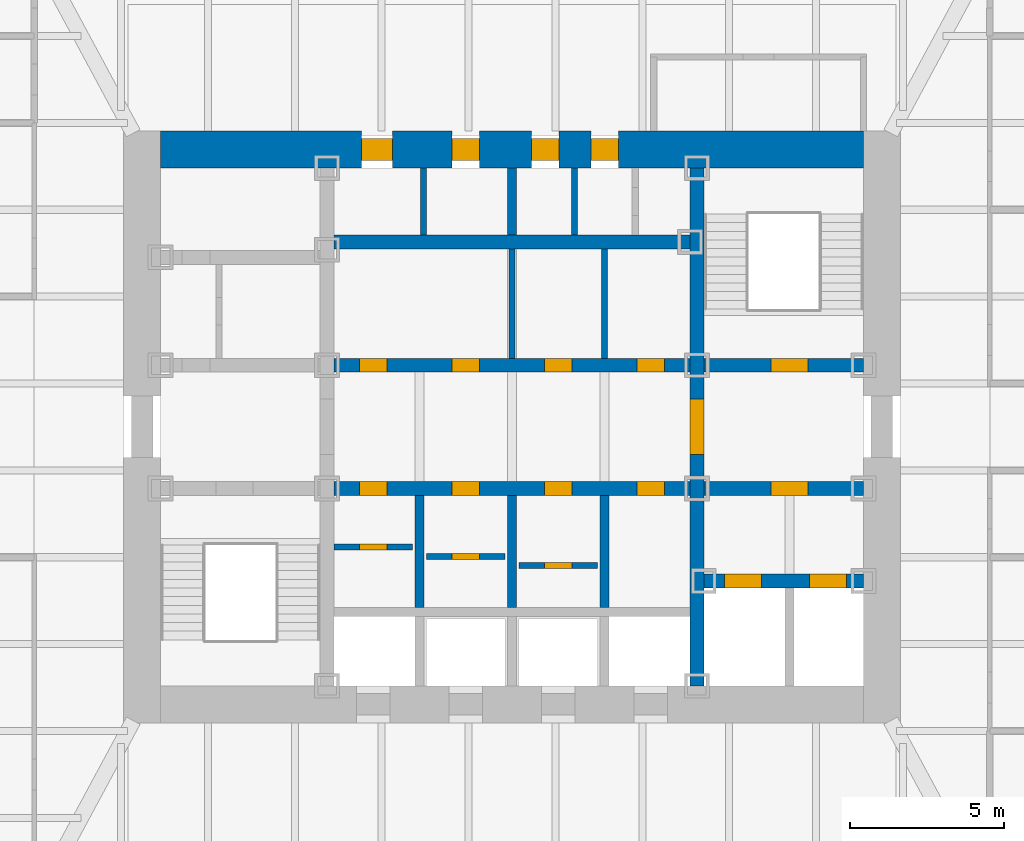
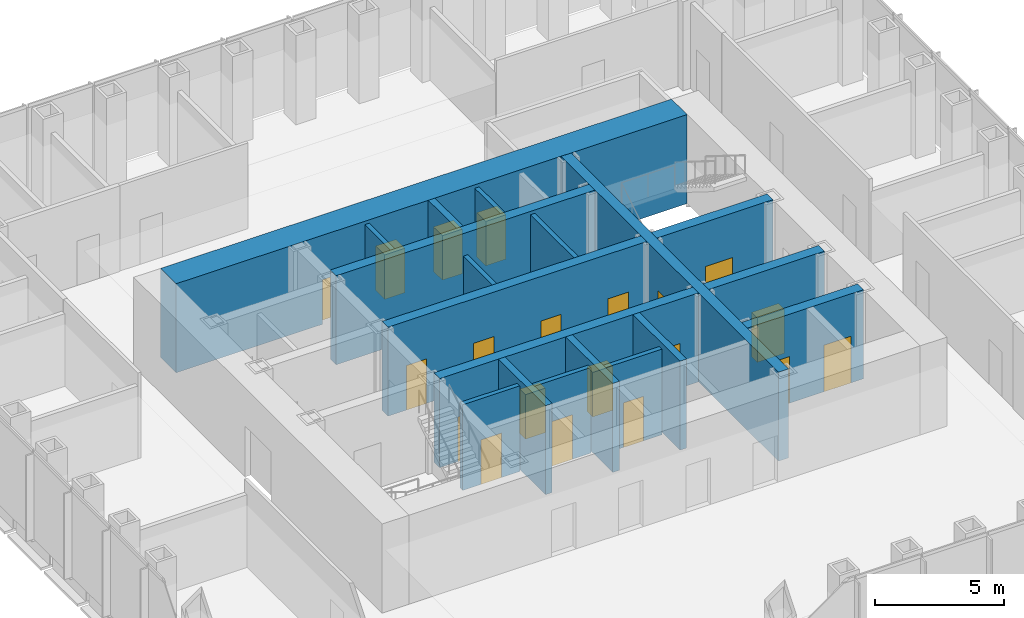
# One storey, part 9 of 16: 20 doors, 19 walls, 20 openings.
"""IFC4 building model written with IfcOpenShell, lengths in metres."""

from ifc_helpers import new_model, si_unit, direction, frame, frame_2d, origin, place, context, subcontext, project, spatial, rectangle, extrude, material, layer, layer_set, type_object, element, fill, save


model = new_model("IFC4")

# Units and contexts
model_context = context("Model", 3, precision=1e-05, world=origin(), true_north=direction((0.0, 1.0)))
body_context = subcontext(model_context, "Body", "Model", "MODEL_VIEW")
ifc_project = project(units=[si_unit("LENGTHUNIT", "METRE"), si_unit("AREAUNIT", "SQUARE_METRE"), si_unit("VOLUMEUNIT", "CUBIC_METRE"), si_unit("PLANEANGLEUNIT", "RADIAN"), si_unit("MASSUNIT", "GRAM", prefix="KILO")], contexts=[model_context])

# Site, building, storey
site_placement = place(None, origin())
site = spatial("IfcSite", under=ifc_project, at=site_placement, CompositionType="ELEMENT")
building_placement = place(site_placement, origin())
building = spatial("IfcBuilding", under=site, at=building_placement, Name="Daluyong Arena Tower", CompositionType="ELEMENT")
storey_placement = place(building_placement, frame((0.0, 0.0, 210.699951171875)))
storey = spatial("IfcBuildingStorey", under=building, at=storey_placement, Name="L47", CompositionType="ELEMENT", Elevation=210.699951171875)

# Wall, opening, door
ifc_material_1 = material(Name="Concrete fc' 45 MPa", Category="concrete")
ifc_layer_1 = layer(ifc_material_1, 0.449951171875)
ifc_layer_set_1 = layer_set([ifc_layer_1], Name="Concrete fc' 45 MPa")
wall_type_1 = type_object("IfcWallType", Name="Core inner wall 450", PredefinedType="SHEAR", material=ifc_layer_set_1)
wall_1_placement = place(storey_placement, frame((62.0, 71.60009765625, 0.0), z_axis=(0.0, 0.0, 1.0), x_axis=(0.0, 1.0, 0.0)))
wall_1 = element("IfcWall", 1, at=wall_1_placement, inside=storey, type_object=wall_type_1, Name="core inner wall at L47", PredefinedType="SHEAR", context=body_context, shape_type="SweptSolid", body=[
    extrude(rectangle(XDim=16.7998046875, YDim=0.449951171875, at=frame_2d((8.39990234375, 0.0))), origin(), (0.0, 0.0, 1.0), 4.199951171875),
])
opening_1_placement = place(wall_1_placement, frame((7.5, 0.0, 0.0)))
opening_1 = element("IfcOpeningElement", 2, at=opening_1_placement, cuts=wall_1, Name="Opening 47025", PredefinedType="OPENING", context=body_context, shape_type="SweptSolid", body=[
    extrude(rectangle(XDim=1.800048828125, YDim=2.39990234375, at=frame_2d((0.89990234375, 1.199951171875))), frame((0.0, 0.23486328125, 0.0), z_axis=(0.0, -1.0, 0.0), x_axis=(1.0, 0.0, 0.0)), (0.0, 0.0, 1.0), 0.469970703125),
])
ifc_material_2 = material(Name="Steel door, fire rated", Category="steel")
door_type_1 = type_object("IfcDoorType", Name="Lift lobby opening door 1800", OperationType="DOUBLE_DOOR_SINGLE_SWING", PredefinedType="DOOR", material=ifc_material_2)
door_1_placement = place(opening_1_placement, origin())
door_1 = element("IfcDoor", 3, at=door_1_placement, inside=storey, type_object=door_type_1, Name="lift lobby door east 47025", OperationType="DOUBLE_DOOR_SINGLE_SWING", OverallHeight=2.39990234375, OverallWidth=1.800048828125, PredefinedType="DOOR", context=body_context, shape_type="SweptSolid", body=[
    extrude(rectangle(XDim=1.800048828125, YDim=2.39990234375, at=frame_2d((0.89990234375, 1.199951171875))), frame((0.0, 0.224609375, 0.0), z_axis=(0.0, -1.0, 0.0), x_axis=(1.0, 0.0, 0.0)), (0.0, 0.0, 1.0), 0.449462890625),
])
fill(opening_1, door_1)

# Wall, openings, doors
wall_2_placement = place(storey_placement, frame((62.22509765625, 75.0, 0.0), z_axis=(0.0, 0.0, 1.0), x_axis=(1.0, 0.0, 0.0)))
wall_2 = element("IfcWall", 4, at=wall_2_placement, inside=storey, type_object=wall_type_1, Name="core inner wall at L47", PredefinedType="SHEAR", context=body_context, shape_type="SweptSolid", body=[
    extrude(rectangle(XDim=5.1748046875, YDim=0.449951171875, at=frame_2d((2.58740234375, 0.0))), origin(), (0.0, 0.0, 1.0), 4.199951171875),
])
opening_2_placement = place(wall_2_placement, frame((0.675048828125, 0.0, 0.0)))
opening_2 = element("IfcOpeningElement", 5, at=opening_2_placement, cuts=wall_2, Name="Opening 47031", PredefinedType="OPENING", context=body_context, shape_type="SweptSolid", body=[
    extrude(rectangle(XDim=1.199951171875, YDim=2.199951171875, at=frame_2d((0.60009765625, 1.10009765625))), frame((0.0, 0.23486328125, 0.0), z_axis=(0.0, -1.0, 0.0), x_axis=(1.0, 0.0, 0.0)), (0.0, 0.0, 1.0), 0.469970703125),
])
opening_3_placement = place(wall_2_placement, frame((3.425048828125, 0.0, 0.0)))
opening_3 = element("IfcOpeningElement", 6, at=opening_3_placement, cuts=wall_2, Name="Opening 47032", PredefinedType="OPENING", context=body_context, shape_type="SweptSolid", body=[
    extrude(rectangle(XDim=1.199951171875, YDim=2.199951171875, at=frame_2d((0.60009765625, 1.10009765625))), frame((0.0, 0.23486328125, 0.0), z_axis=(0.0, -1.0, 0.0), x_axis=(1.0, 0.0, 0.0)), (0.0, 0.0, 1.0), 0.469970703125),
])
ifc_material_3 = material(Name="Steel door, fire rated", Category="steel")
door_type_2 = type_object("IfcDoorType", Name="Firefighting lift landing door 1200", OperationType="SLIDING_TO_LEFT", PredefinedType="DOOR", material=ifc_material_3)
door_2_placement = place(opening_2_placement, origin())
door_2 = element("IfcDoor", 7, at=door_2_placement, inside=storey, type_object=door_type_2, Name="firefighting lift landing door F1 47031", OperationType="SLIDING_TO_LEFT", OverallHeight=2.199951171875, OverallWidth=1.199951171875, PredefinedType="DOOR", context=body_context, shape_type="SweptSolid", body=[
    extrude(rectangle(XDim=1.199951171875, YDim=2.199951171875, at=frame_2d((0.60009765625, 1.10009765625))), frame((0.0, 0.224609375, 0.0), z_axis=(0.0, -1.0, 0.0), x_axis=(1.0, 0.0, 0.0)), (0.0, 0.0, 1.0), 0.449462890625),
])
fill(opening_2, door_2)
door_3_placement = place(opening_3_placement, origin())
door_3 = element("IfcDoor", 8, at=door_3_placement, inside=storey, type_object=door_type_2, Name="firefighting lift landing door F2 47032", OperationType="SLIDING_TO_LEFT", OverallHeight=2.199951171875, OverallWidth=1.199951171875, PredefinedType="DOOR", context=body_context, shape_type="SweptSolid", body=[
    extrude(rectangle(XDim=1.199951171875, YDim=2.199951171875, at=frame_2d((0.60009765625, 1.10009765625))), frame((0.0, 0.224609375, 0.0), z_axis=(0.0, -1.0, 0.0), x_axis=(1.0, 0.0, 0.0)), (0.0, 0.0, 1.0), 0.449462890625),
])
fill(opening_3, door_3)

# Wall, opening, door
wall_3_placement = place(storey_placement, frame((62.22509765625, 78.0, 0.0), z_axis=(0.0, 0.0, 1.0), x_axis=(1.0, 0.0, 0.0)))
wall_3 = element("IfcWall", 9, at=wall_3_placement, inside=storey, type_object=wall_type_1, Name="core inner wall at L47", PredefinedType="SHEAR", context=body_context, shape_type="SweptSolid", body=[
    extrude(rectangle(XDim=5.1748046875, YDim=0.449951171875, at=frame_2d((2.58740234375, 0.0))), origin(), (0.0, 0.0, 1.0), 4.199951171875),
])
opening_4_placement = place(wall_3_placement, frame((2.175048828125, 0.0, 0.0)))
opening_4 = element("IfcOpeningElement", 10, at=opening_4_placement, cuts=wall_3, Name="Opening 47026", PredefinedType="OPENING", context=body_context, shape_type="SweptSolid", body=[
    extrude(rectangle(XDim=1.199951171875, YDim=2.10009765625, at=frame_2d((0.60009765625, 1.050048828125))), frame((0.0, 0.23486328125, 0.0), z_axis=(0.0, -1.0, 0.0), x_axis=(1.0, 0.0, 0.0)), (0.0, 0.0, 1.0), 0.469970703125),
])
ifc_material_4 = material(Name="Steel door, fire rated", Category="steel")
door_type_3 = type_object("IfcDoorType", Name="Firefighting lobby door 1200", OperationType="SINGLE_SWING_RIGHT", PredefinedType="DOOR", material=ifc_material_4)
door_4_placement = place(opening_4_placement, origin())
door_4 = element("IfcDoor", 11, at=door_4_placement, inside=storey, type_object=door_type_3, Name="firefighting lobby door 47026", OperationType="SINGLE_SWING_RIGHT", OverallHeight=2.10009765625, OverallWidth=1.199951171875, PredefinedType="DOOR", context=body_context, shape_type="SweptSolid", body=[
    extrude(rectangle(XDim=1.199951171875, YDim=2.10009765625, at=frame_2d((0.60009765625, 1.050048828125))), frame((0.0, 0.224609375, 0.0), z_axis=(0.0, -1.0, 0.0), x_axis=(1.0, 0.0, 0.0)), (0.0, 0.0, 1.0), 0.449462890625),
])
fill(opening_4, door_4)

wall_4_placement = place(storey_placement, frame((62.22509765625, 82.0, 0.0), z_axis=(0.0, 0.0, 1.0), x_axis=(1.0, 0.0, 0.0)))
wall_4 = element("IfcWall", 12, at=wall_4_placement, inside=storey, type_object=wall_type_1, Name="core inner wall at L47", PredefinedType="SHEAR", context=body_context, shape_type="SweptSolid", body=[
    extrude(rectangle(XDim=5.1748046875, YDim=0.449951171875, at=frame_2d((2.58740234375, 0.0))), origin(), (0.0, 0.0, 1.0), 4.199951171875),
])
opening_5_placement = place(wall_4_placement, frame((2.175048828125, 0.0, 0.0)))
opening_5 = element("IfcOpeningElement", 13, at=opening_5_placement, cuts=wall_4, Name="Opening 47021", PredefinedType="OPENING", context=body_context, shape_type="SweptSolid", body=[
    extrude(rectangle(XDim=1.199951171875, YDim=2.10009765625, at=frame_2d((0.60009765625, 1.050048828125))), frame((0.0, 0.23486328125, 0.0), z_axis=(0.0, -1.0, 0.0), x_axis=(1.0, 0.0, 0.0)), (0.0, 0.0, 1.0), 0.469970703125),
])
ifc_material_5 = material(Name="Steel door, fire rated", Category="steel")
door_type_4 = type_object("IfcDoorType", Name="Stair door 1200", OperationType="SINGLE_SWING_LEFT", PredefinedType="DOOR", material=ifc_material_5)
door_5_placement = place(opening_5_placement, origin())
door_5 = element("IfcDoor", 14, at=door_5_placement, inside=storey, type_object=door_type_4, Name="stair B door 47021", OperationType="SINGLE_SWING_LEFT", OverallHeight=2.10009765625, OverallWidth=1.199951171875, PredefinedType="DOOR", context=body_context, shape_type="SweptSolid", body=[
    extrude(rectangle(XDim=1.199951171875, YDim=2.10009765625, at=frame_2d((0.60009765625, 1.050048828125))), frame((0.0, 0.224609375, 0.0), z_axis=(0.0, -1.0, 0.0), x_axis=(1.0, 0.0, 0.0)), (0.0, 0.0, 1.0), 0.449462890625),
])
fill(opening_5, door_5)

# Wall, openings, doors
wall_5_placement = place(storey_placement, frame((50.22509765625, 78.0, 0.0), z_axis=(0.0, 0.0, 1.0), x_axis=(1.0, 0.0, 0.0)))
wall_5 = element("IfcWall", 15, at=wall_5_placement, inside=storey, type_object=wall_type_1, Name="core inner wall at L47", PredefinedType="SHEAR", context=body_context, shape_type="SweptSolid", body=[
    extrude(rectangle(XDim=11.5498046875, YDim=0.449951171875, at=frame_2d((5.77490234375, 0.0))), origin(), (0.0, 0.0, 1.0), 4.199951171875),
])
opening_6_placement = place(wall_5_placement, frame((0.824951171875, 0.0, 0.0)))
opening_6 = element("IfcOpeningElement", 16, at=opening_6_placement, cuts=wall_5, Name="Opening 47009", PredefinedType="OPENING", context=body_context, shape_type="SweptSolid", body=[
    extrude(rectangle(XDim=0.89990234375, YDim=2.10009765625, at=frame_2d((0.449951171875, 1.050048828125))), frame((0.0, 0.23486328125, 0.0), z_axis=(0.0, -1.0, 0.0), x_axis=(1.0, 0.0, 0.0)), (0.0, 0.0, 1.0), 0.469970703125),
])
opening_7_placement = place(wall_5_placement, frame((3.824951171875, 0.0, 0.0)))
opening_7 = element("IfcOpeningElement", 17, at=opening_7_placement, cuts=wall_5, Name="Opening 47011", PredefinedType="OPENING", context=body_context, shape_type="SweptSolid", body=[
    extrude(rectangle(XDim=0.89990234375, YDim=2.10009765625, at=frame_2d((0.449951171875, 1.050048828125))), frame((0.0, 0.23486328125, 0.0), z_axis=(0.0, -1.0, 0.0), x_axis=(1.0, 0.0, 0.0)), (0.0, 0.0, 1.0), 0.469970703125),
])
opening_8_placement = place(wall_5_placement, frame((6.824951171875, 0.0, 0.0)))
opening_8 = element("IfcOpeningElement", 18, at=opening_8_placement, cuts=wall_5, Name="Opening 47013", PredefinedType="OPENING", context=body_context, shape_type="SweptSolid", body=[
    extrude(rectangle(XDim=0.89990234375, YDim=2.10009765625, at=frame_2d((0.449951171875, 1.050048828125))), frame((0.0, 0.23486328125, 0.0), z_axis=(0.0, -1.0, 0.0), x_axis=(1.0, 0.0, 0.0)), (0.0, 0.0, 1.0), 0.469970703125),
])
opening_9_placement = place(wall_5_placement, frame((9.824951171875, 0.0, 0.0)))
opening_9 = element("IfcOpeningElement", 19, at=opening_9_placement, cuts=wall_5, Name="Opening 47015", PredefinedType="OPENING", context=body_context, shape_type="SweptSolid", body=[
    extrude(rectangle(XDim=0.89990234375, YDim=2.10009765625, at=frame_2d((0.449951171875, 1.050048828125))), frame((0.0, 0.23486328125, 0.0), z_axis=(0.0, -1.0, 0.0), x_axis=(1.0, 0.0, 0.0)), (0.0, 0.0, 1.0), 0.469970703125),
])
ifc_material_6 = material(Name="Steel door, fire rated", Category="steel")
door_type_5 = type_object("IfcDoorType", Name="Core store door 900", OperationType="SINGLE_SWING_LEFT", PredefinedType="DOOR", material=ifc_material_6)
door_6_placement = place(opening_6_placement, origin())
door_6 = element("IfcDoor", 20, at=door_6_placement, inside=storey, type_object=door_type_5, Name="furniture store door 47009", OperationType="SINGLE_SWING_LEFT", OverallHeight=2.10009765625, OverallWidth=0.89990234375, PredefinedType="DOOR", context=body_context, shape_type="SweptSolid", body=[
    extrude(rectangle(XDim=0.89990234375, YDim=2.10009765625, at=frame_2d((0.449951171875, 1.050048828125))), frame((0.0, 0.224609375, 0.0), z_axis=(0.0, -1.0, 0.0), x_axis=(1.0, 0.0, 0.0)), (0.0, 0.0, 1.0), 0.449462890625),
])
fill(opening_6, door_6)
door_7_placement = place(opening_7_placement, origin())
door_7 = element("IfcDoor", 21, at=door_7_placement, inside=storey, type_object=door_type_5, Name="cleaner's store door 47011", OperationType="SINGLE_SWING_LEFT", OverallHeight=2.10009765625, OverallWidth=0.89990234375, PredefinedType="DOOR", context=body_context, shape_type="SweptSolid", body=[
    extrude(rectangle(XDim=0.89990234375, YDim=2.10009765625, at=frame_2d((0.449951171875, 1.050048828125))), frame((0.0, 0.224609375, 0.0), z_axis=(0.0, -1.0, 0.0), x_axis=(1.0, 0.0, 0.0)), (0.0, 0.0, 1.0), 0.449462890625),
])
fill(opening_7, door_7)
door_8_placement = place(opening_8_placement, origin())
door_8 = element("IfcDoor", 22, at=door_8_placement, inside=storey, type_object=door_type_5, Name="tenant store door 47013", OperationType="SINGLE_SWING_LEFT", OverallHeight=2.10009765625, OverallWidth=0.89990234375, PredefinedType="DOOR", context=body_context, shape_type="SweptSolid", body=[
    extrude(rectangle(XDim=0.89990234375, YDim=2.10009765625, at=frame_2d((0.449951171875, 1.050048828125))), frame((0.0, 0.224609375, 0.0), z_axis=(0.0, -1.0, 0.0), x_axis=(1.0, 0.0, 0.0)), (0.0, 0.0, 1.0), 0.449462890625),
])
fill(opening_8, door_8)
door_9_placement = place(opening_9_placement, origin())
door_9 = element("IfcDoor", 23, at=door_9_placement, inside=storey, type_object=door_type_5, Name="facilities store door 47015", OperationType="SINGLE_SWING_LEFT", OverallHeight=2.10009765625, OverallWidth=0.89990234375, PredefinedType="DOOR", context=body_context, shape_type="SweptSolid", body=[
    extrude(rectangle(XDim=0.89990234375, YDim=2.10009765625, at=frame_2d((0.449951171875, 1.050048828125))), frame((0.0, 0.224609375, 0.0), z_axis=(0.0, -1.0, 0.0), x_axis=(1.0, 0.0, 0.0)), (0.0, 0.0, 1.0), 0.449462890625),
])
fill(opening_9, door_9)

wall_6_placement = place(storey_placement, frame((50.22509765625, 82.0, 0.0), z_axis=(0.0, 0.0, 1.0), x_axis=(1.0, 0.0, 0.0)))
wall_6 = element("IfcWall", 24, at=wall_6_placement, inside=storey, type_object=wall_type_1, Name="core inner wall at L47", PredefinedType="SHEAR", context=body_context, shape_type="SweptSolid", body=[
    extrude(rectangle(XDim=11.5498046875, YDim=0.449951171875, at=frame_2d((5.77490234375, 0.0))), origin(), (0.0, 0.0, 1.0), 4.199951171875),
])
opening_10_placement = place(wall_6_placement, frame((0.824951171875, 0.0, 0.0)))
opening_10 = element("IfcOpeningElement", 25, at=opening_10_placement, cuts=wall_6, Name="Opening 47016", PredefinedType="OPENING", context=body_context, shape_type="SweptSolid", body=[
    extrude(rectangle(XDim=0.89990234375, YDim=2.10009765625, at=frame_2d((0.449951171875, 1.050048828125))), frame((0.0, 0.23486328125, 0.0), z_axis=(0.0, -1.0, 0.0), x_axis=(1.0, 0.0, 0.0)), (0.0, 0.0, 1.0), 0.469970703125),
])
opening_11_placement = place(wall_6_placement, frame((3.824951171875, 0.0, 0.0)))
opening_11 = element("IfcOpeningElement", 26, at=opening_11_placement, cuts=wall_6, Name="Opening 47017", PredefinedType="OPENING", context=body_context, shape_type="SweptSolid", body=[
    extrude(rectangle(XDim=0.89990234375, YDim=2.10009765625, at=frame_2d((0.449951171875, 1.050048828125))), frame((0.0, 0.23486328125, 0.0), z_axis=(0.0, -1.0, 0.0), x_axis=(1.0, 0.0, 0.0)), (0.0, 0.0, 1.0), 0.469970703125),
])
opening_12_placement = place(wall_6_placement, frame((6.824951171875, 0.0, 0.0)))
opening_12 = element("IfcOpeningElement", 27, at=opening_12_placement, cuts=wall_6, Name="Opening 47018", PredefinedType="OPENING", context=body_context, shape_type="SweptSolid", body=[
    extrude(rectangle(XDim=0.89990234375, YDim=2.10009765625, at=frame_2d((0.449951171875, 1.050048828125))), frame((0.0, 0.23486328125, 0.0), z_axis=(0.0, -1.0, 0.0), x_axis=(1.0, 0.0, 0.0)), (0.0, 0.0, 1.0), 0.469970703125),
])
opening_13_placement = place(wall_6_placement, frame((9.824951171875, 0.0, 0.0)))
opening_13 = element("IfcOpeningElement", 28, at=opening_13_placement, cuts=wall_6, Name="Opening 47019", PredefinedType="OPENING", context=body_context, shape_type="SweptSolid", body=[
    extrude(rectangle(XDim=0.89990234375, YDim=2.10009765625, at=frame_2d((0.449951171875, 1.050048828125))), frame((0.0, 0.23486328125, 0.0), z_axis=(0.0, -1.0, 0.0), x_axis=(1.0, 0.0, 0.0)), (0.0, 0.0, 1.0), 0.469970703125),
])
ifc_material_7 = material(Name="Steel door, fire rated", Category="steel")
door_type_6 = type_object("IfcDoorType", Name="Core room door 900", OperationType="SINGLE_SWING_LEFT", PredefinedType="DOOR", material=ifc_material_7)
door_10_placement = place(opening_10_placement, origin())
door_10 = element("IfcDoor", 29, at=door_10_placement, inside=storey, type_object=door_type_6, Name="mail room door 47016", OperationType="SINGLE_SWING_LEFT", OverallHeight=2.10009765625, OverallWidth=0.89990234375, PredefinedType="DOOR", context=body_context, shape_type="SweptSolid", body=[
    extrude(rectangle(XDim=0.89990234375, YDim=2.10009765625, at=frame_2d((0.449951171875, 1.050048828125))), frame((0.0, 0.224609375, 0.0), z_axis=(0.0, -1.0, 0.0), x_axis=(1.0, 0.0, 0.0)), (0.0, 0.0, 1.0), 0.449462890625),
])
fill(opening_10, door_10)
door_11_placement = place(opening_11_placement, origin())
door_11 = element("IfcDoor", 30, at=door_11_placement, inside=storey, type_object=door_type_6, Name="mail room door 47017", OperationType="SINGLE_SWING_LEFT", OverallHeight=2.10009765625, OverallWidth=0.89990234375, PredefinedType="DOOR", context=body_context, shape_type="SweptSolid", body=[
    extrude(rectangle(XDim=0.89990234375, YDim=2.10009765625, at=frame_2d((0.449951171875, 1.050048828125))), frame((0.0, 0.224609375, 0.0), z_axis=(0.0, -1.0, 0.0), x_axis=(1.0, 0.0, 0.0)), (0.0, 0.0, 1.0), 0.449462890625),
])
fill(opening_11, door_11)
door_12_placement = place(opening_12_placement, origin())
door_12 = element("IfcDoor", 31, at=door_12_placement, inside=storey, type_object=door_type_6, Name="print room door 47018", OperationType="SINGLE_SWING_LEFT", OverallHeight=2.10009765625, OverallWidth=0.89990234375, PredefinedType="DOOR", context=body_context, shape_type="SweptSolid", body=[
    extrude(rectangle(XDim=0.89990234375, YDim=2.10009765625, at=frame_2d((0.449951171875, 1.050048828125))), frame((0.0, 0.224609375, 0.0), z_axis=(0.0, -1.0, 0.0), x_axis=(1.0, 0.0, 0.0)), (0.0, 0.0, 1.0), 0.449462890625),
])
fill(opening_12, door_12)
door_13_placement = place(opening_13_placement, origin())
door_13 = element("IfcDoor", 32, at=door_13_placement, inside=storey, type_object=door_type_6, Name="staff pantry door 47019", OperationType="SINGLE_SWING_LEFT", OverallHeight=2.10009765625, OverallWidth=0.89990234375, PredefinedType="DOOR", context=body_context, shape_type="SweptSolid", body=[
    extrude(rectangle(XDim=0.89990234375, YDim=2.10009765625, at=frame_2d((0.449951171875, 1.050048828125))), frame((0.0, 0.224609375, 0.0), z_axis=(0.0, -1.0, 0.0), x_axis=(1.0, 0.0, 0.0)), (0.0, 0.0, 1.0), 0.449462890625),
])
fill(opening_13, door_13)

# Wall
wall_7_placement = place(storey_placement, frame((50.22509765625, 86.0, 0.0), z_axis=(0.0, 0.0, 1.0), x_axis=(1.0, 0.0, 0.0)))
element("IfcWall", 33, at=wall_7_placement, inside=storey, type_object=wall_type_1, Name="core inner wall at L47", PredefinedType="SHEAR", context=body_context, shape_type="SweptSolid", body=[
    extrude(rectangle(XDim=11.5498046875, YDim=0.449951171875, at=frame_2d((5.77490234375, 0.0))), origin(), (0.0, 0.0, 1.0), 4.199951171875),
])

# Wall, openings, doors
ifc_material_8 = material(Name="Concrete fc' 60 MPa", Category="concrete")
ifc_layer_2 = layer(ifc_material_8, 1.199951171875)
ifc_layer_set_2 = layer_set([ifc_layer_2], Name="Concrete fc' 60 MPa")
wall_type_2 = type_object("IfcWallType", Name="Core wall 1200", PredefinedType="SHEAR", material=ifc_layer_set_2)
wall_8_placement = place(storey_placement, frame((44.60009765625, 89.0, 0.0), z_axis=(0.0, 0.0, 1.0), x_axis=(1.0, 0.0, 0.0)))
wall_8 = element("IfcWall", 34, at=wall_8_placement, inside=storey, type_object=wall_type_2, Name="core wall at L47", PredefinedType="SHEAR", context=body_context, shape_type="SweptSolid", body=[
    extrude(rectangle(XDim=22.7998046875, YDim=1.199951171875, at=frame_2d((11.39990234375, 0.0))), origin(), (0.0, 0.0, 1.0), 4.199951171875),
])
opening_14_placement = place(wall_8_placement, frame((6.52490234375, 0.0, 0.0)))
opening_14 = element("IfcOpeningElement", 35, at=opening_14_placement, cuts=wall_8, Name="Opening 47004", PredefinedType="OPENING", context=body_context, shape_type="SweptSolid", body=[
    extrude(rectangle(XDim=1.0, YDim=2.10009765625, at=frame_2d((0.5, 1.050048828125))), frame((0.0, 0.60986328125, 0.0), z_axis=(0.0, -1.0, 0.0), x_axis=(1.0, 0.0, 0.0)), (0.0, 0.0, 1.0), 1.219970703125),
])
opening_15_placement = place(wall_8_placement, frame((9.449951171875, 0.0, 0.0)))
opening_15 = element("IfcOpeningElement", 36, at=opening_15_placement, cuts=wall_8, Name="Opening 47005", PredefinedType="OPENING", context=body_context, shape_type="SweptSolid", body=[
    extrude(rectangle(XDim=0.89990234375, YDim=2.10009765625, at=frame_2d((0.449951171875, 1.050048828125))), frame((0.0, 0.60986328125, 0.0), z_axis=(0.0, -1.0, 0.0), x_axis=(1.0, 0.0, 0.0)), (0.0, 0.0, 1.0), 1.219970703125),
])
opening_16_placement = place(wall_8_placement, frame((12.02490234375, 0.0, 0.0)))
opening_16 = element("IfcOpeningElement", 37, at=opening_16_placement, cuts=wall_8, Name="Opening 47006", PredefinedType="OPENING", context=body_context, shape_type="SweptSolid", body=[
    extrude(rectangle(XDim=0.89990234375, YDim=2.10009765625, at=frame_2d((0.449951171875, 1.050048828125))), frame((0.0, 0.60986328125, 0.0), z_axis=(0.0, -1.0, 0.0), x_axis=(1.0, 0.0, 0.0)), (0.0, 0.0, 1.0), 1.219970703125),
])
opening_17_placement = place(wall_8_placement, frame((13.96240234375, 0.0, 0.0)))
opening_17 = element("IfcOpeningElement", 38, at=opening_17_placement, cuts=wall_8, Name="Opening 47007", PredefinedType="OPENING", context=body_context, shape_type="SweptSolid", body=[
    extrude(rectangle(XDim=0.89990234375, YDim=2.10009765625, at=frame_2d((0.449951171875, 1.050048828125))), frame((0.0, 0.60986328125, 0.0), z_axis=(0.0, -1.0, 0.0), x_axis=(1.0, 0.0, 0.0)), (0.0, 0.0, 1.0), 1.219970703125),
])
ifc_material_9 = material(Name="Timber door", Category="wood")
door_type_7 = type_object("IfcDoorType", Name="Accessible toilet door 1000", OperationType="SINGLE_SWING_LEFT", PredefinedType="DOOR", material=ifc_material_9)
door_14_placement = place(opening_14_placement, origin())
door_14 = element("IfcDoor", 39, at=door_14_placement, inside=storey, type_object=door_type_7, Name="accessible toilet door 47004", OperationType="SINGLE_SWING_LEFT", OverallHeight=2.10009765625, OverallWidth=1.0, PredefinedType="DOOR", context=body_context, shape_type="SweptSolid", body=[
    extrude(rectangle(XDim=1.0, YDim=2.10009765625, at=frame_2d((0.5, 1.050048828125))), frame((0.0, 0.35009765625, 0.0), z_axis=(0.0, -1.0, 0.0), x_axis=(1.0, 0.0, 0.0)), (0.0, 0.0, 1.0), 0.699951171875),
])
fill(opening_14, door_14)
door_15_placement = place(opening_16_placement, origin())
door_15 = element("IfcDoor", 40, at=door_15_placement, inside=storey, type_object=door_type_6, Name="tea point door 47006", OperationType="SINGLE_SWING_LEFT", OverallHeight=2.10009765625, OverallWidth=0.89990234375, PredefinedType="DOOR", context=body_context, shape_type="SweptSolid", body=[
    extrude(rectangle(XDim=0.89990234375, YDim=2.10009765625, at=frame_2d((0.449951171875, 1.050048828125))), frame((0.0, 0.35009765625, 0.0), z_axis=(0.0, -1.0, 0.0), x_axis=(1.0, 0.0, 0.0)), (0.0, 0.0, 1.0), 0.699951171875),
])
fill(opening_16, door_15)
door_16_placement = place(opening_17_placement, origin())
door_16 = element("IfcDoor", 41, at=door_16_placement, inside=storey, type_object=door_type_5, Name="stationery store door 47007", OperationType="SINGLE_SWING_LEFT", OverallHeight=2.10009765625, OverallWidth=0.89990234375, PredefinedType="DOOR", context=body_context, shape_type="SweptSolid", body=[
    extrude(rectangle(XDim=0.89990234375, YDim=2.10009765625, at=frame_2d((0.449951171875, 1.050048828125))), frame((0.0, 0.35009765625, 0.0), z_axis=(0.0, -1.0, 0.0), x_axis=(1.0, 0.0, 0.0)), (0.0, 0.0, 1.0), 0.699951171875),
])
fill(opening_17, door_16)
ifc_material_10 = material(Name="Steel door, fire rated", Category="steel")
door_type_8 = type_object("IfcDoorType", Name="Plant room door 900", OperationType="SINGLE_SWING_LEFT", PredefinedType="DOOR", material=ifc_material_10)
door_17_placement = place(opening_15_placement, origin())
door_17 = element("IfcDoor", 42, at=door_17_placement, inside=storey, type_object=door_type_8, Name="comms room door 47005", OperationType="SINGLE_SWING_LEFT", OverallHeight=2.10009765625, OverallWidth=0.89990234375, PredefinedType="DOOR", context=body_context, shape_type="SweptSolid", body=[
    extrude(rectangle(XDim=0.89990234375, YDim=2.10009765625, at=frame_2d((0.449951171875, 1.050048828125))), frame((0.0, 0.35009765625, 0.0), z_axis=(0.0, -1.0, 0.0), x_axis=(1.0, 0.0, 0.0)), (0.0, 0.0, 1.0), 0.699951171875),
])
fill(opening_15, door_17)

# Walls
ifc_material_11 = material(Name="Concrete block partition, fire rated", Category="concrete")
ifc_layer_3 = layer(ifc_material_11, 0.199951171875)
ifc_layer_set_3 = layer_set([ifc_layer_3], Name="Concrete block partition, fire rated")
wall_type_3 = type_object("IfcWallType", Name="Fire-rated partition 200", PredefinedType="PARTITIONING", material=ifc_layer_set_3)
for number, where, z_axis, x_axis, name in (
    (43, (53.125, 86.22509765625, 0.0), (0.0, 0.0, 1.0), (0.0, 1.0, 0.0), "core room partition at L47"),
    (44, (58.02490234375, 86.22509765625, 0.0), (0.0, 0.0, 1.0), (0.0, 1.0, 0.0), "core room partition at L47"),
):
    element("IfcWall", number, at=place(storey_placement, frame(where, z_axis=z_axis, x_axis=x_axis)), inside=storey, type_object=wall_type_3, Name=name, PredefinedType="PARTITIONING", context=body_context, shape_type="SweptSolid", body=[
        extrude(rectangle(XDim=2.1748046875, YDim=0.199951171875, at=frame_2d((1.08740234375, 0.0))), origin(), (0.0, 0.0, 1.0), 4.0400390625),
    ])

# Wall, opening, door
wall_9_placement = place(storey_placement, frame((50.22509765625, 76.10009765625, 0.0), z_axis=(0.0, 0.0, 1.0), x_axis=(1.0, 0.0, 0.0)))
wall_9 = element("IfcWall", 45, at=wall_9_placement, inside=storey, type_object=wall_type_3, Name="back store partition at L47", PredefinedType="PARTITIONING", context=body_context, shape_type="SweptSolid", body=[
    extrude(rectangle(XDim=2.5498046875, YDim=0.199951171875, at=frame_2d((1.27490234375, 0.0))), origin(), (0.0, 0.0, 1.0), 4.0400390625),
])
opening_18_placement = place(wall_9_placement, frame((0.824951171875, 0.0, 0.0)))
opening_18 = element("IfcOpeningElement", 46, at=opening_18_placement, cuts=wall_9, Name="Opening 47010", PredefinedType="OPENING", context=body_context, shape_type="SweptSolid", body=[
    extrude(rectangle(XDim=0.89990234375, YDim=2.10009765625, at=frame_2d((0.449951171875, 1.050048828125))), frame((0.0, 0.10986328125, 0.0), z_axis=(0.0, -1.0, 0.0), x_axis=(1.0, 0.0, 0.0)), (0.0, 0.0, 1.0), 0.219970703125),
])
door_18_placement = place(opening_18_placement, origin())
door_18 = element("IfcDoor", 47, at=door_18_placement, inside=storey, type_object=door_type_5, Name="security store door 47010", OperationType="SINGLE_SWING_LEFT", OverallHeight=2.10009765625, OverallWidth=0.89990234375, PredefinedType="DOOR", context=body_context, shape_type="SweptSolid", body=[
    extrude(rectangle(XDim=0.89990234375, YDim=2.10009765625, at=frame_2d((0.449951171875, 1.050048828125))), frame((0.0, 0.099609375, 0.0), z_axis=(0.0, -1.0, 0.0), x_axis=(1.0, 0.0, 0.0)), (0.0, 0.0, 1.0), 0.199462890625),
])
fill(opening_18, door_18)

wall_10_placement = place(storey_placement, frame((53.22509765625, 75.800048828125, 0.0), z_axis=(0.0, 0.0, 1.0), x_axis=(1.0, 0.0, 0.0)))
wall_10 = element("IfcWall", 48, at=wall_10_placement, inside=storey, type_object=wall_type_3, Name="back store partition at L47", PredefinedType="PARTITIONING", context=body_context, shape_type="SweptSolid", body=[
    extrude(rectangle(XDim=2.5498046875, YDim=0.199951171875, at=frame_2d((1.27490234375, 0.0))), origin(), (0.0, 0.0, 1.0), 4.0400390625),
])
opening_19_placement = place(wall_10_placement, frame((0.824951171875, 0.0, 0.0)))
opening_19 = element("IfcOpeningElement", 49, at=opening_19_placement, cuts=wall_10, Name="Opening 47012", PredefinedType="OPENING", context=body_context, shape_type="SweptSolid", body=[
    extrude(rectangle(XDim=0.89990234375, YDim=2.10009765625, at=frame_2d((0.449951171875, 1.050048828125))), frame((0.0, 0.10986328125, 0.0), z_axis=(0.0, -1.0, 0.0), x_axis=(1.0, 0.0, 0.0)), (0.0, 0.0, 1.0), 0.219970703125),
])
door_19_placement = place(opening_19_placement, origin())
door_19 = element("IfcDoor", 50, at=door_19_placement, inside=storey, type_object=door_type_5, Name="archive store door 47012", OperationType="SINGLE_SWING_LEFT", OverallHeight=2.10009765625, OverallWidth=0.89990234375, PredefinedType="DOOR", context=body_context, shape_type="SweptSolid", body=[
    extrude(rectangle(XDim=0.89990234375, YDim=2.10009765625, at=frame_2d((0.449951171875, 1.050048828125))), frame((0.0, 0.099609375, 0.0), z_axis=(0.0, -1.0, 0.0), x_axis=(1.0, 0.0, 0.0)), (0.0, 0.0, 1.0), 0.199462890625),
])
fill(opening_19, door_19)

wall_11_placement = place(storey_placement, frame((56.22509765625, 75.5, 0.0), z_axis=(0.0, 0.0, 1.0), x_axis=(1.0, 0.0, 0.0)))
wall_11 = element("IfcWall", 51, at=wall_11_placement, inside=storey, type_object=wall_type_3, Name="back store partition at L47", PredefinedType="PARTITIONING", context=body_context, shape_type="SweptSolid", body=[
    extrude(rectangle(XDim=2.5498046875, YDim=0.199951171875, at=frame_2d((1.27490234375, 0.0))), origin(), (0.0, 0.0, 1.0), 4.0400390625),
])
opening_20_placement = place(wall_11_placement, frame((0.824951171875, 0.0, 0.0)))
opening_20 = element("IfcOpeningElement", 52, at=opening_20_placement, cuts=wall_11, Name="Opening 47014", PredefinedType="OPENING", context=body_context, shape_type="SweptSolid", body=[
    extrude(rectangle(XDim=0.89990234375, YDim=2.10009765625, at=frame_2d((0.449951171875, 1.050048828125))), frame((0.0, 0.10986328125, 0.0), z_axis=(0.0, -1.0, 0.0), x_axis=(1.0, 0.0, 0.0)), (0.0, 0.0, 1.0), 0.219970703125),
])
door_20_placement = place(opening_20_placement, origin())
door_20 = element("IfcDoor", 53, at=door_20_placement, inside=storey, type_object=door_type_5, Name="records store door 47014", OperationType="SINGLE_SWING_LEFT", OverallHeight=2.10009765625, OverallWidth=0.89990234375, PredefinedType="DOOR", context=body_context, shape_type="SweptSolid", body=[
    extrude(rectangle(XDim=0.89990234375, YDim=2.10009765625, at=frame_2d((0.449951171875, 1.050048828125))), frame((0.0, 0.099609375, 0.0), z_axis=(0.0, -1.0, 0.0), x_axis=(1.0, 0.0, 0.0)), (0.0, 0.0, 1.0), 0.199462890625),
])
fill(opening_20, door_20)

# Walls
wall_12_placement = place(storey_placement, frame((56.0, 82.22509765625, 0.0), z_axis=(0.0, 0.0, 1.0), x_axis=(0.0, 1.0, 0.0)))
element("IfcWall", 54, at=wall_12_placement, inside=storey, type_object=wall_type_3, Name="core room partition at L47", PredefinedType="PARTITIONING", context=body_context, shape_type="SweptSolid", body=[
    extrude(rectangle(XDim=3.5498046875, YDim=0.199951171875, at=frame_2d((1.77490234375, 0.0))), origin(), (0.0, 0.0, 1.0), 3.14013671875),
])
wall_13_placement = place(storey_placement, frame((59.0, 82.22509765625, 0.0), z_axis=(0.0, 0.0, 1.0), x_axis=(0.0, 1.0, 0.0)))
element("IfcWall", 55, at=wall_13_placement, inside=storey, type_object=wall_type_3, Name="core room partition at L47", PredefinedType="PARTITIONING", context=body_context, shape_type="SweptSolid", body=[
    extrude(rectangle(XDim=3.5498046875, YDim=0.199951171875, at=frame_2d((1.77490234375, 0.0))), origin(), (0.0, 0.0, 1.0), 4.0400390625),
])
ifc_material_12 = material(Name="Concrete fc' 45 MPa", Category="concrete")
ifc_layer_4 = layer(ifc_material_12, 0.300048828125)
ifc_layer_set_4 = layer_set([ifc_layer_4], Name="Concrete fc' 45 MPa")
wall_type_4 = type_object("IfcWallType", Name="Lift shaft wall 300", PredefinedType="SHEAR", material=ifc_layer_set_4)
for number, where, z_axis, x_axis, name in (
    (56, (53.0, 74.14990234375, 0.0), (0.0, 0.0, 1.0), (0.0, 1.0, 0.0), "lift shaft wall at L47"),
    (57, (56.0, 74.14990234375, 0.0), (0.0, 0.0, 1.0), (0.0, 1.0, 0.0), "lift shaft wall at L47"),
    (58, (59.0, 74.14990234375, 0.0), (0.0, 0.0, 1.0), (0.0, 1.0, 0.0), "lift shaft wall at L47"),
):
    element("IfcWall", number, at=place(storey_placement, frame(where, z_axis=z_axis, x_axis=x_axis)), inside=storey, type_object=wall_type_4, Name=name, PredefinedType="SHEAR", context=body_context, shape_type="SweptSolid", body=[
        extrude(rectangle(XDim=3.625, YDim=0.300048828125, at=frame_2d((1.8125, 0.0))), origin(), (0.0, 0.0, 1.0), 4.199951171875),
    ])
wall_14_placement = place(storey_placement, frame((56.0, 86.22509765625, 0.0), z_axis=(0.0, 0.0, 1.0), x_axis=(0.0, 1.0, 0.0)))
element("IfcWall", 59, at=wall_14_placement, inside=storey, type_object=wall_type_4, Name="lift shaft wall at L47", PredefinedType="SHEAR", context=body_context, shape_type="SweptSolid", body=[
    extrude(rectangle(XDim=2.1748046875, YDim=0.300048828125, at=frame_2d((1.08740234375, 0.0))), origin(), (0.0, 0.0, 1.0), 4.199951171875),
])

save(model, "model.ifc")
